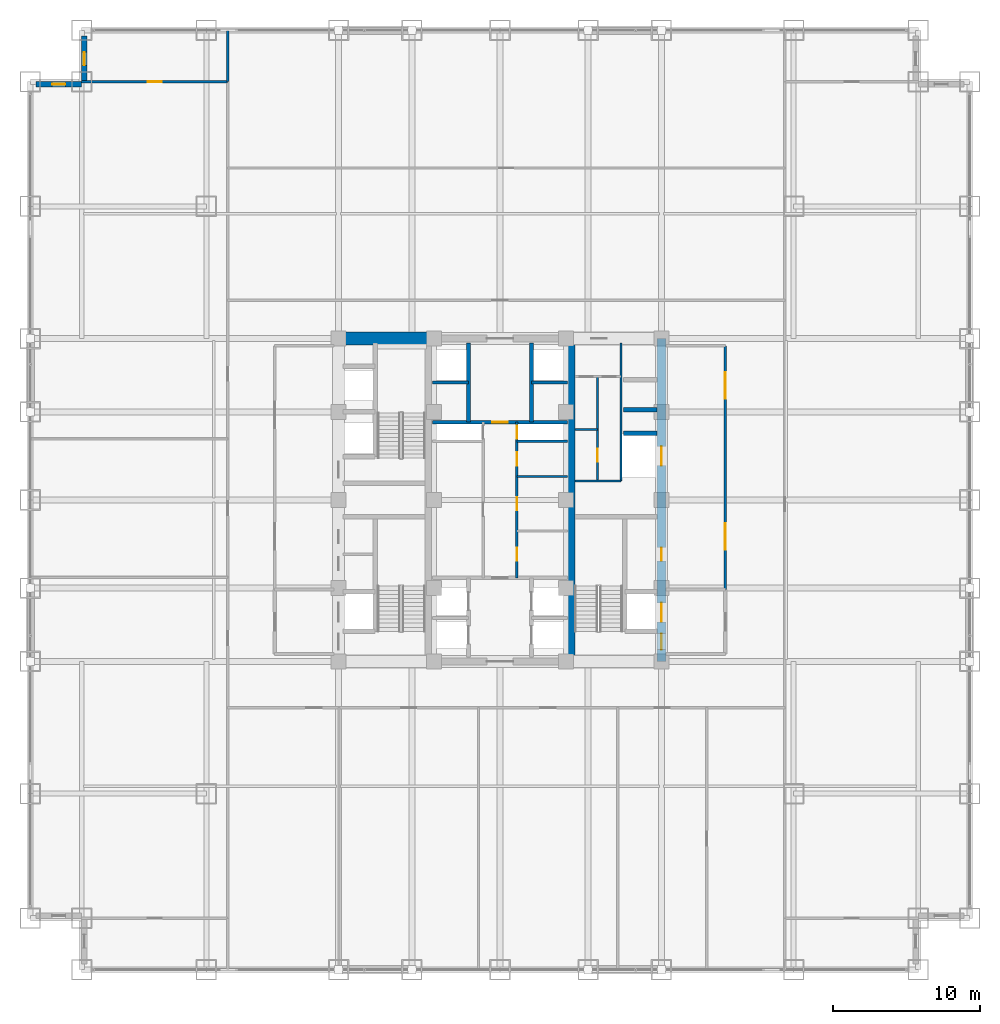
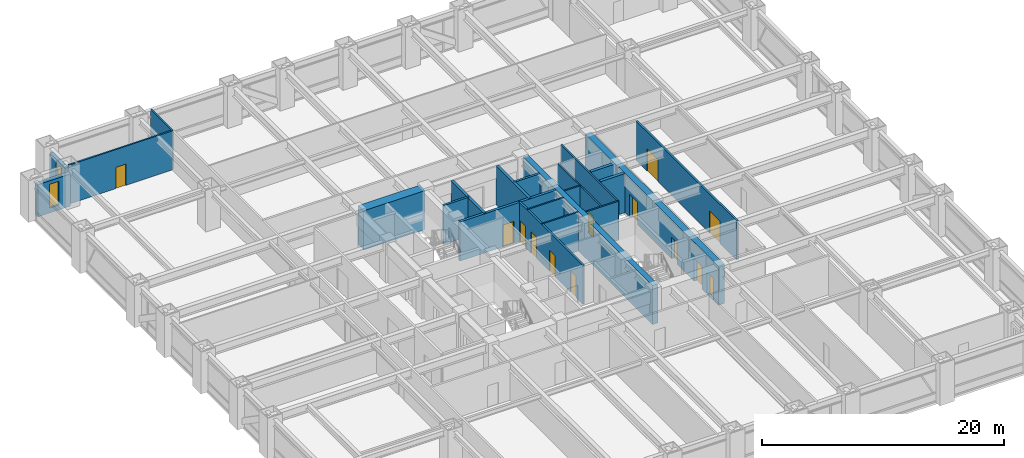
# One storey, part 25 of 27: 22 walls, 13 doors, 2 windows, 15 openings.
"""IFC4 building model written with IfcOpenShell, lengths in metres."""

from ifc_helpers import new_model, si_unit, direction, frame, frame_2d, origin, place, context, subcontext, project, spatial, rectangle, extrude, source, transform, mapped, material, layer, layer_set, type_object, element, fill, save


model = new_model("IFC4")

# Units and contexts
model_context = context("Model", 3, precision=1e-05, world=origin(), true_north=direction((0.0, 1.0)))
body_context = subcontext(model_context, "Body", "Model", "MODEL_VIEW")
ifc_project = project(units=[si_unit("LENGTHUNIT", "METRE"), si_unit("AREAUNIT", "SQUARE_METRE"), si_unit("VOLUMEUNIT", "CUBIC_METRE"), si_unit("PLANEANGLEUNIT", "RADIAN"), si_unit("MASSUNIT", "GRAM", prefix="KILO")], contexts=[model_context])

# Site, building, storey
site_placement = place(None, origin())
site = spatial("IfcSite", under=ifc_project, at=site_placement, CompositionType="ELEMENT")
building_placement = place(site_placement, origin())
building = spatial("IfcBuilding", under=site, at=building_placement, Name="Khorayat Bourse Tower", CompositionType="ELEMENT")
storey_placement = place(building_placement, frame((0.0, 0.0, 49.39990234375)))
storey = spatial("IfcBuildingStorey", under=building, at=storey_placement, Name="L10", CompositionType="ELEMENT", Elevation=49.39990234375)

# Wall, openings, doors
ifc_material_1 = material(Name="Concrete C60/75", Category="concrete")
ifc_layer_1 = layer(ifc_material_1, 0.60009765625)
ifc_layer_set_1 = layer_set([ifc_layer_1], Name="Concrete C60/75")
wall_type_1 = type_object("IfcWallType", Name="WAL-CORE-600", PredefinedType="SHEAR", material=ifc_layer_set_1)
shared_shape_1 = source(origin(), body_context, "Body", "SweptSolid", [
    extrude(rectangle(XDim=22.0, YDim=0.60009765625, at=frame_2d((11.0, 0.0))), origin(), (0.0, 0.0, 1.0), 3.940185546875),
])
wall_1_placement = place(storey_placement, frame((11.0, -11.0, 0.0), z_axis=(0.0, 0.0, 1.0), x_axis=(0.0, 1.0, 0.0)))
wall_1 = element("IfcWall", 1, at=wall_1_placement, inside=storey, type_object=wall_type_1, Name="L10 Core Shear Wall CORE-E", PredefinedType="SHEAR", context=body_context, shape_type="MappedRepresentation", body=[
    mapped(shared_shape_1, transform((0.0, 0.0, 0.0), scale=1.0)),
])
shared_shape_2 = source(origin(), body_context, "Body", "SweptSolid", [
    extrude(rectangle(XDim=1.10009765625, YDim=2.199951171875, at=frame_2d((0.550048828125, 1.10009765625))), frame((0.0, 0.31005859375, 0.0), z_axis=(0.0, -1.0, 0.0), x_axis=(1.0, 0.0, 0.0)), (0.0, 0.0, 1.0), 0.6201171875),
])
opening_1_placement = place(wall_1_placement, frame((0.800048828125, 0.0, 0.0)))
opening_1 = element("IfcOpeningElement", 2, at=opening_1_placement, cuts=wall_1, Name="Opening DI-01", PredefinedType="OPENING", context=body_context, shape_type="MappedRepresentation", body=[
    mapped(shared_shape_2, transform((0.0, 0.0, 0.0), scale=1.0)),
])
shared_shape_3 = source(origin(), body_context, "Body", "SweptSolid", [
    extrude(rectangle(XDim=0.89990234375, YDim=2.14990234375, at=frame_2d((0.449951171875, 1.074951171875))), frame((0.0, 0.31005859375, 0.0), z_axis=(0.0, -1.0, 0.0), x_axis=(1.0, 0.0, 0.0)), (0.0, 0.0, 1.0), 0.6201171875),
])
opening_2_placement = place(wall_1_placement, frame((6.85009765625, 0.0, 0.0)))
opening_2 = element("IfcOpeningElement", 3, at=opening_2_placement, cuts=wall_1, Name="Opening DI-06", PredefinedType="OPENING", context=body_context, shape_type="MappedRepresentation", body=[
    mapped(shared_shape_3, transform((0.0, 0.0, 0.0), scale=1.0)),
])
shared_shape_4 = source(origin(), body_context, "Body", "SweptSolid", [
    extrude(rectangle(XDim=1.300048828125, YDim=2.300048828125, at=frame_2d((0.64990234375, 1.14990234375))), frame((0.0, 0.31005859375, 0.0), z_axis=(0.0, -1.0, 0.0), x_axis=(1.0, 0.0, 0.0)), (0.0, 0.0, 1.0), 0.6201171875),
])
opening_3_placement = place(wall_1_placement, frame((2.699951171875, 0.0, 0.0)))
opening_3 = element("IfcOpeningElement", 4, at=opening_3_placement, cuts=wall_1, Name="Opening LD-02", PredefinedType="OPENING", context=body_context, shape_type="MappedRepresentation", body=[
    mapped(shared_shape_4, transform((0.0, 0.0, 0.0), scale=1.0)),
])
opening_4_placement = place(wall_1_placement, frame((13.35009765625, 0.0, 0.0)))
opening_4 = element("IfcOpeningElement", 5, at=opening_4_placement, cuts=wall_1, Name="Opening LD-02", PredefinedType="OPENING", context=body_context, shape_type="MappedRepresentation", body=[
    mapped(shared_shape_4, transform((0.0, 0.0, 0.0), scale=1.0)),
])
ifc_material_2 = material(Name="Fire-rated steel acoustic leaf", Category="steel")
door_type_1 = type_object("IfcDoorType", Name="DR-INT-STAIR-1100", OperationType="NOTDEFINED", PredefinedType="DOOR", material=ifc_material_2)
shared_shape_5 = source(origin(), body_context, "Body", "SweptSolid", [
    extrude(rectangle(XDim=1.10009765625, YDim=2.199951171875, at=frame_2d((0.550048828125, 1.10009765625))), frame((0.0, 0.02490234375, 0.0), z_axis=(0.0, -1.0, 0.0), x_axis=(1.0, 0.0, 0.0)), (0.0, 0.0, 1.0), 0.050048828125),
])
door_1_placement = place(opening_1_placement, origin())
door_1 = element("IfcDoor", 6, at=door_1_placement, inside=storey, type_object=door_type_1, Name="L10 Exit Stair 3 Door", OperationType="SINGLE_SWING_LEFT", OverallHeight=2.199951171875, OverallWidth=1.10009765625, PredefinedType="DOOR", context=body_context, shape_type="MappedRepresentation", body=[
    mapped(shared_shape_5, transform((0.0, 0.0, 0.0), scale=1.0)),
])
fill(opening_1, door_1)
ifc_material_3 = material(Name="Moisture-resistant laminate washroom door")
door_type_2 = type_object("IfcDoorType", Name="DR-INT-WC-900", OperationType="NOTDEFINED", PredefinedType="DOOR", material=ifc_material_3)
shared_shape_6 = source(origin(), body_context, "Body", "SweptSolid", [
    extrude(rectangle(XDim=0.89990234375, YDim=2.14990234375, at=frame_2d((0.449951171875, 1.074951171875))), frame((0.0, 0.02490234375, 0.0), z_axis=(0.0, -1.0, 0.0), x_axis=(1.0, 0.0, 0.0)), (0.0, 0.0, 1.0), 0.050048828125),
])
door_2_placement = place(opening_2_placement, origin())
door_2 = element("IfcDoor", 7, at=door_2_placement, inside=storey, type_object=door_type_2, Name="L10 Telecom Server Plant Room Door", OperationType="SINGLE_SWING_LEFT", OverallHeight=2.14990234375, OverallWidth=0.89990234375, PredefinedType="DOOR", context=body_context, shape_type="MappedRepresentation", body=[
    mapped(shared_shape_6, transform((0.0, 0.0, 0.0), scale=1.0)),
])
fill(opening_2, door_2)
ifc_material_4 = material(Name="Fire-rated stainless-steel sliding landing door", Category="steel")
door_type_3 = type_object("IfcDoorType", Name="DR-LIFT-FF-1300", OperationType="NOTDEFINED", PredefinedType="DOOR", material=ifc_material_4)
shared_shape_7 = source(origin(), body_context, "Body", "SweptSolid", [
    extrude(rectangle(XDim=1.300048828125, YDim=2.300048828125, at=frame_2d((0.64990234375, 1.14990234375))), frame((0.0, 0.02490234375, 0.0), z_axis=(0.0, -1.0, 0.0), x_axis=(1.0, 0.0, 0.0)), (0.0, 0.0, 1.0), 0.050048828125),
])
door_3_placement = place(opening_3_placement, origin())
door_3 = element("IfcDoor", 8, at=door_3_placement, inside=storey, type_object=door_type_3, Name="L10 Lift FFL-02 Sliding Landing Door", OperationType="SLIDING_TO_LEFT", OverallHeight=2.300048828125, OverallWidth=1.300048828125, PredefinedType="DOOR", context=body_context, shape_type="MappedRepresentation", body=[
    mapped(shared_shape_7, transform((0.0, 0.0, 0.0), scale=1.0)),
])
fill(opening_3, door_3)
door_4_placement = place(opening_4_placement, origin())
door_4 = element("IfcDoor", 9, at=door_4_placement, inside=storey, type_object=door_type_3, Name="L10 Lift SVL-01 Sliding Landing Door", OperationType="SLIDING_TO_LEFT", OverallHeight=2.300048828125, OverallWidth=1.300048828125, PredefinedType="DOOR", context=body_context, shape_type="MappedRepresentation", body=[
    mapped(shared_shape_7, transform((0.0, 0.0, 0.0), scale=1.0)),
])
fill(opening_4, door_4)

# Walls
ifc_material_5 = material(Name="Concrete C52/65", Category="concrete")
ifc_layer_2 = layer(ifc_material_5, 0.5)
ifc_layer_set_2 = layer_set([ifc_layer_2], Name="Concrete C52/65")
wall_type_2 = type_object("IfcWallType", Name="WAL-CORE-500", PredefinedType="SHEAR", material=ifc_layer_set_2)
shared_shape_8 = source(origin(), body_context, "Body", "SweptSolid", [
    extrude(rectangle(XDim=21.39990234375, YDim=0.5, at=frame_2d((10.699951171875, 0.0))), origin(), (0.0, 0.0, 1.0), 3.940185546875),
])
wall_2_placement = place(storey_placement, frame((4.85009765625, -10.699951171875, 0.0), z_axis=(0.0, 0.0, 1.0), x_axis=(0.0, 1.0, 0.0)))
element("IfcWall", 10, at=wall_2_placement, inside=storey, type_object=wall_type_2, Name="L10 Core Shear Wall PIER-E", PredefinedType="SHEAR", context=body_context, shape_type="MappedRepresentation", body=[
    mapped(shared_shape_8, transform((0.0, 0.0, 0.0), scale=1.0)),
])
ifc_material_6 = material(Name="Concrete C72/90", Category="concrete")
ifc_layer_3 = layer(ifc_material_6, 0.89990234375)
ifc_layer_set_3 = layer_set([ifc_layer_3], Name="Concrete C72/90")
wall_type_3 = type_object("IfcWallType", Name="WAL-CORE-900", PredefinedType="SHEAR", material=ifc_layer_set_3)
shared_shape_9 = source(origin(), body_context, "Body", "SweptSolid", [
    extrude(rectangle(XDim=5.849853515625, YDim=0.89990234375, at=frame_2d((2.9248046875, 0.0))), origin(), (0.0, 0.0, 1.0), 3.940185546875),
])
wall_3_placement = place(storey_placement, frame((-10.699951171875, 11.0, 0.0), z_axis=(0.0, 0.0, 1.0), x_axis=(1.0, 0.0, 0.0)))
element("IfcWall", 11, at=wall_3_placement, inside=storey, type_object=wall_type_3, Name="L10 Core Shear Wall PIER-WN", PredefinedType="SHEAR", context=body_context, shape_type="MappedRepresentation", body=[
    mapped(shared_shape_9, transform((0.0, 0.0, 0.0), scale=1.0)),
])

# Wall, opening, window
ifc_material_7 = material(Name="Precast concrete C45/55", Category="concrete")
ifc_layer_4 = layer(ifc_material_7, 0.3798828125)
ifc_layer_set_4 = layer_set([ifc_layer_4], Name="Precast concrete C45/55")
wall_type_4 = type_object("IfcWallType", Name="WAL-EXT-STONE-380", PredefinedType="STANDARD", material=ifc_layer_set_4)
shared_shape_10 = source(origin(), body_context, "Body", "SweptSolid", [
    extrude(rectangle(XDim=3.1201171875, YDim=0.3798828125, at=frame_2d((1.56005859375, 0.0))), origin(), (0.0, 0.0, 1.0), 3.2451171875),
])
wall_4_placement = place(storey_placement, frame((-28.31005859375, 28.5, 0.0), z_axis=(0.0, 0.0, 1.0), x_axis=(0.0, 1.0, 0.0)))
wall_4 = element("IfcWall", 12, at=wall_4_placement, inside=storey, type_object=wall_type_4, Name="L10 Re-Entrant Notch Limestone Wall NW-V", PredefinedType="STANDARD", context=body_context, shape_type="MappedRepresentation", body=[
    mapped(shared_shape_10, transform((0.0, 0.0, 0.0), scale=1.0)),
])
shared_shape_11 = source(origin(), body_context, "Body", "SweptSolid", [
    extrude(rectangle(XDim=0.89990234375, YDim=2.39990234375, at=frame_2d((0.449951171875, 1.199951171875))), frame((0.0, 0.199951171875, 0.0), z_axis=(0.0, -1.0, 0.0), x_axis=(1.0, 0.0, 0.0)), (0.0, 0.0, 1.0), 0.39990234375),
])
opening_5_placement = place(wall_4_placement, frame((1.110107421875, 0.0, 0.5)))
opening_5 = element("IfcOpeningElement", 13, at=opening_5_placement, cuts=wall_4, Name="Opening WN-03", PredefinedType="OPENING", context=body_context, shape_type="MappedRepresentation", body=[
    mapped(shared_shape_11, transform((0.0, 0.0, 0.0), scale=1.0)),
])
ifc_material_8 = material(Name="Deep-reveal solar-control double glazing", Category="glass")
window_type = type_object("IfcWindowType", Name="WIN-SLOT-900x2400", PartitioningType="SINGLE_PANEL", PredefinedType="WINDOW", material=ifc_material_8)
shared_shape_12 = source(origin(), body_context, "Body", "SweptSolid", [
    extrude(rectangle(XDim=0.89990234375, YDim=2.39990234375, at=frame_2d((0.449951171875, 1.199951171875))), frame((0.0, 0.030029296875, 0.0), z_axis=(0.0, -1.0, 0.0), x_axis=(1.0, 0.0, 0.0)), (0.0, 0.0, 1.0), 0.06005859375),
])
window_1_placement = place(opening_5_placement, origin())
window_1 = element("IfcWindow", 14, at=window_1_placement, inside=storey, type_object=window_type, Name="L10 Facade Window 1", OverallHeight=2.39990234375, OverallWidth=0.89990234375, PartitioningType="SINGLE_PANEL", PredefinedType="WINDOW", context=body_context, shape_type="MappedRepresentation", body=[
    mapped(shared_shape_12, transform((0.0, 0.0, 0.0), scale=1.0)),
])
fill(opening_5, window_1)

wall_5_placement = place(storey_placement, frame((-28.5, 28.31005859375, 0.0), z_axis=(0.0, 0.0, 1.0), x_axis=(-1.0, 0.0, 0.0)))
wall_5 = element("IfcWall", 15, at=wall_5_placement, inside=storey, type_object=wall_type_4, Name="L10 Re-Entrant Notch Limestone Wall NW-H", PredefinedType="STANDARD", context=body_context, shape_type="MappedRepresentation", body=[
    mapped(shared_shape_10, transform((0.0, 0.0, 0.0), scale=1.0)),
])
opening_6_placement = place(wall_5_placement, frame((1.110107421875, 0.0, 0.5)))
opening_6 = element("IfcOpeningElement", 16, at=opening_6_placement, cuts=wall_5, Name="Opening WN-03", PredefinedType="OPENING", context=body_context, shape_type="MappedRepresentation", body=[
    mapped(shared_shape_11, transform((0.0, 0.0, 0.0), scale=1.0)),
])
window_2_placement = place(opening_6_placement, origin())
window_2 = element("IfcWindow", 17, at=window_2_placement, inside=storey, type_object=window_type, Name="L10 Facade Window 1", OverallHeight=2.39990234375, OverallWidth=0.89990234375, PartitioningType="SINGLE_PANEL", PredefinedType="WINDOW", context=body_context, shape_type="MappedRepresentation", body=[
    mapped(shared_shape_12, transform((0.0, 0.0, 0.0), scale=1.0)),
])
fill(opening_6, window_2)

# Walls
ifc_material_9 = material(Name="Concrete C50/60", Category="concrete")
ifc_layer_5 = layer(ifc_material_9, 0.300048828125)
ifc_layer_set_5 = layer_set([ifc_layer_5], Name="Concrete C50/60")
wall_type_5 = type_object("IfcWallType", Name="WAL-SHAFT-300", PredefinedType="SHEAR", material=ifc_layer_set_5)
shared_shape_13 = source(origin(), body_context, "Body", "SweptSolid", [
    extrude(rectangle(XDim=2.300048828125, YDim=0.300048828125, at=frame_2d((1.14990234375, 0.0))), origin(), (0.0, 0.0, 1.0), 3.940185546875),
])
for number, where, z_axis, x_axis, name in (
    (18, (8.39990234375, 4.550048828125, 0.0), (0.0, 0.0, 1.0), (1.0, 0.0, 0.0), "L10 Partition WAL-L10-EPIER-SVLN"),
    (19, (8.39990234375, 6.14990234375, 0.0), (0.0, 0.0, 1.0), (1.0, 0.0, 0.0), "L10 Partition WAL-L10-EPIER-H3S"),
):
    element("IfcWall", number, at=place(storey_placement, frame(where, z_axis=z_axis, x_axis=x_axis)), inside=storey, type_object=wall_type_5, Name=name, PredefinedType="SHEAR", context=body_context, shape_type="MappedRepresentation", body=[
        mapped(shared_shape_13, transform((0.0, 0.0, 0.0), scale=1.0)),
    ])
ifc_material_10 = material(Name="Moisture-resistant masonry partition", Category="masonry")
ifc_layer_6 = layer(ifc_material_10, 0.139892578125)
ifc_layer_set_6 = layer_set([ifc_layer_6], Name="Moisture-resistant masonry partition")
wall_type_6 = type_object("IfcWallType", Name="WAL-PART-WET-140", PredefinedType="PARTITIONING", material=ifc_layer_set_6)
shared_shape_14 = source(origin(), body_context, "Body", "SweptSolid", [
    extrude(rectangle(XDim=9.39990234375, YDim=0.139892578125, at=frame_2d((4.699951171875, 0.0))), origin(), (0.0, 0.0, 1.0), 3.940185546875),
])
wall_6_placement = place(storey_placement, frame((8.25, 1.300048828125, 0.0), z_axis=(0.0, 0.0, 1.0), x_axis=(0.0, 1.0, 0.0)))
element("IfcWall", 20, at=wall_6_placement, inside=storey, type_object=wall_type_6, Name="L10 Partition WAL-L10-ECORE-E", PredefinedType="PARTITIONING", context=body_context, shape_type="MappedRepresentation", body=[
    mapped(shared_shape_14, transform((0.0, 0.0, 0.0), scale=1.0)),
])
shared_shape_15 = source(origin(), body_context, "Body", "SweptSolid", [
    extrude(rectangle(XDim=3.14990234375, YDim=0.139892578125, at=frame_2d((1.574951171875, 0.0))), origin(), (0.0, 0.0, 1.0), 3.940185546875),
])
wall_7_placement = place(storey_placement, frame((5.10009765625, 1.300048828125, 0.0), z_axis=(0.0, 0.0, 1.0), x_axis=(1.0, 0.0, 0.0)))
element("IfcWall", 21, at=wall_7_placement, inside=storey, type_object=wall_type_6, Name="L10 Partition WAL-L10-ECORE-S", PredefinedType="PARTITIONING", context=body_context, shape_type="MappedRepresentation", body=[
    mapped(shared_shape_15, transform((0.0, 0.0, 0.0), scale=1.0)),
])

# Wall, opening, door
shared_shape_16 = source(origin(), body_context, "Body", "SweptSolid", [
    extrude(rectangle(XDim=7.099853515625, YDim=0.139892578125, at=frame_2d((3.5498046875, 0.0))), origin(), (0.0, 0.0, 1.0), 3.940185546875),
])
wall_8_placement = place(storey_placement, frame((6.64990234375, 1.300048828125, 0.0), z_axis=(0.0, 0.0, 1.0), x_axis=(0.0, 1.0, 0.0)))
wall_8 = element("IfcWall", 22, at=wall_8_placement, inside=storey, type_object=wall_type_6, Name="L10 Partition WAL-L10-ECW-MID", PredefinedType="PARTITIONING", context=body_context, shape_type="MappedRepresentation", body=[
    mapped(shared_shape_16, transform((0.0, 0.0, 0.0), scale=1.0)),
])
shared_shape_17 = source(origin(), body_context, "Body", "SweptSolid", [
    extrude(rectangle(XDim=0.89990234375, YDim=2.14990234375, at=frame_2d((0.449951171875, 1.074951171875))), frame((0.0, 0.079833984375, 0.0), z_axis=(0.0, -1.0, 0.0), x_axis=(1.0, 0.0, 0.0)), (0.0, 0.0, 1.0), 0.159912109375),
])
opening_7_placement = place(wall_8_placement, frame((1.300048828125, 0.0, 0.0)))
opening_7 = element("IfcOpeningElement", 23, at=opening_7_placement, cuts=wall_8, Name="Opening DI-06", PredefinedType="OPENING", context=body_context, shape_type="MappedRepresentation", body=[
    mapped(shared_shape_17, transform((0.0, 0.0, 0.0), scale=1.0)),
])
door_5_placement = place(opening_7_placement, origin())
door_5 = element("IfcDoor", 24, at=door_5_placement, inside=storey, type_object=door_type_2, Name="L10 Janitor Store Door", OperationType="SINGLE_SWING_LEFT", OverallHeight=2.14990234375, OverallWidth=0.89990234375, PredefinedType="DOOR", context=body_context, shape_type="MappedRepresentation", body=[
    mapped(shared_shape_6, transform((0.0, 0.0, 0.0), scale=1.0)),
])
fill(opening_7, door_5)

# Wall
shared_shape_18 = source(origin(), body_context, "Body", "SweptSolid", [
    extrude(rectangle(XDim=1.5498046875, YDim=0.139892578125, at=frame_2d((0.77490234375, 0.0))), origin(), (0.0, 0.0, 1.0), 3.940185546875),
])
wall_9_placement = place(storey_placement, frame((5.10009765625, 4.800048828125, 0.0), z_axis=(0.0, 0.0, 1.0), x_axis=(1.0, 0.0, 0.0)))
element("IfcWall", 25, at=wall_9_placement, inside=storey, type_object=wall_type_6, Name="L10 Partition WAL-L10-ECW-BOT", PredefinedType="PARTITIONING", context=body_context, shape_type="MappedRepresentation", body=[
    mapped(shared_shape_18, transform((0.0, 0.0, 0.0), scale=1.0)),
])

# Wall, openings, doors
ifc_material_11 = material(Name="Gypsum plasterboard acoustic stud wall")
ifc_layer_7 = layer(ifc_material_11, 0.179931640625)
ifc_layer_set_7 = layer_set([ifc_layer_7], Name="Gypsum plasterboard acoustic stud wall")
wall_type_7 = type_object("IfcWallType", Name="WAL-PART-CORR-180", PredefinedType="PARTITIONING", material=ifc_layer_set_7)
shared_shape_19 = source(origin(), body_context, "Body", "SweptSolid", [
    extrude(rectangle(XDim=16.60009765625, YDim=0.179931640625, at=frame_2d((8.300048828125, 0.0))), origin(), (0.0, 0.0, 1.0), 3.940185546875),
])
wall_10_placement = place(storey_placement, frame((15.35009765625, -6.10009765625, 0.0), z_axis=(0.0, 0.0, 1.0), x_axis=(0.0, 1.0, 0.0)))
wall_10 = element("IfcWall", 26, at=wall_10_placement, inside=storey, type_object=wall_type_7, Name="L10 Partition WAL-L10-ELOB-E", PredefinedType="PARTITIONING", context=body_context, shape_type="MappedRepresentation", body=[
    mapped(shared_shape_19, transform((0.0, 0.0, 0.0), scale=1.0)),
])
shared_shape_20 = source(origin(), body_context, "Body", "SweptSolid", [
    extrude(rectangle(XDim=1.800048828125, YDim=2.25, at=frame_2d((0.89990234375, 1.125))), frame((0.0, 0.099853515625, 0.0), z_axis=(0.0, -1.0, 0.0), x_axis=(1.0, 0.0, 0.0)), (0.0, 0.0, 1.0), 0.199951171875),
])
opening_8_placement = place(wall_10_placement, frame((2.699951171875, 0.0, 0.0)))
opening_8 = element("IfcOpeningElement", 27, at=opening_8_placement, cuts=wall_10, Name="Opening DI-03", PredefinedType="OPENING", context=body_context, shape_type="MappedRepresentation", body=[
    mapped(shared_shape_20, transform((0.0, 0.0, 0.0), scale=1.0)),
])
opening_9_placement = place(wall_10_placement, frame((13.0, 0.0, 0.0)))
opening_9 = element("IfcOpeningElement", 28, at=opening_9_placement, cuts=wall_10, Name="Opening DI-03", PredefinedType="OPENING", context=body_context, shape_type="MappedRepresentation", body=[
    mapped(shared_shape_20, transform((0.0, 0.0, 0.0), scale=1.0)),
])
ifc_material_12 = material(Name="Fire-rated hardwood vision-panel double leaf", Category="wood")
door_type_4 = type_object("IfcDoorType", Name="DR-INT-CORR-1800", OperationType="NOTDEFINED", PredefinedType="DOOR", material=ifc_material_12)
shared_shape_21 = source(origin(), body_context, "Body", "SweptSolid", [
    extrude(rectangle(XDim=1.800048828125, YDim=2.25, at=frame_2d((0.89990234375, 1.125))), frame((0.0, 0.02490234375, 0.0), z_axis=(0.0, -1.0, 0.0), x_axis=(1.0, 0.0, 0.0)), (0.0, 0.0, 1.0), 0.050048828125),
])
door_6_placement = place(opening_8_placement, origin())
door_6 = element("IfcDoor", 29, at=door_6_placement, inside=storey, type_object=door_type_4, Name="L10 East Core Lobby South Door", OperationType="SINGLE_SWING_RIGHT", OverallHeight=2.25, OverallWidth=1.800048828125, PredefinedType="DOOR", context=body_context, shape_type="MappedRepresentation", body=[
    mapped(shared_shape_21, transform((0.0, 0.0, 0.0), scale=1.0)),
])
fill(opening_8, door_6)
door_7_placement = place(opening_9_placement, origin())
door_7 = element("IfcDoor", 30, at=door_7_placement, inside=storey, type_object=door_type_4, Name="L10 East Core Lobby North Door", OperationType="SINGLE_SWING_LEFT", OverallHeight=2.25, OverallWidth=1.800048828125, PredefinedType="DOOR", context=body_context, shape_type="MappedRepresentation", body=[
    mapped(shared_shape_21, transform((0.0, 0.0, 0.0), scale=1.0)),
])
fill(opening_9, door_7)

# Walls
ifc_material_13 = material(Name="Gypsum plasterboard twin-frame partition")
ifc_layer_8 = layer(ifc_material_13, 0.14990234375)
ifc_layer_set_8 = layer_set([ifc_layer_8], Name="Gypsum plasterboard twin-frame partition")
wall_type_8 = type_object("IfcWallType", Name="WAL-PART-SUITE-150", PredefinedType="PARTITIONING", material=ifc_layer_set_8)
shared_shape_22 = source(origin(), body_context, "Body", "SweptSolid", [
    extrude(rectangle(XDim=3.4501953125, YDim=0.14990234375, at=frame_2d((1.72509765625, 0.0))), origin(), (0.0, 0.0, 1.0), 3.940185546875),
])
wall_11_placement = place(storey_placement, frame((1.14990234375, 4.0, 0.0), z_axis=(0.0, 0.0, 1.0), x_axis=(1.0, 0.0, 0.0)))
element("IfcWall", 31, at=wall_11_placement, inside=storey, type_object=wall_type_8, Name="L10 Partition WAL-L10-CRSE-S", PredefinedType="PARTITIONING", context=body_context, shape_type="MappedRepresentation", body=[
    mapped(shared_shape_22, transform((0.0, 0.0, 0.0), scale=1.0)),
])
shared_shape_23 = source(origin(), body_context, "Body", "SweptSolid", [
    extrude(rectangle(XDim=5.39990234375, YDim=0.25, at=frame_2d((2.699951171875, 0.0))), origin(), (0.0, 0.0, 1.0), 3.940185546875),
])
for number, where, z_axis, x_axis, name in (
    (32, (-2.14990234375, 5.300048828125, 0.0), (0.0, 0.0, 1.0), (0.0, 1.0, 0.0), "L10 Partition WAL-L10-B2-W"),
    (33, (2.14990234375, 5.300048828125, 0.0), (0.0, 0.0, 1.0), (0.0, 1.0, 0.0), "L10 Partition WAL-L10-B2-E"),
):
    element("IfcWall", number, at=place(storey_placement, frame(where, z_axis=z_axis, x_axis=x_axis)), inside=storey, type_object=wall_type_5, Name=name, PredefinedType="SHEAR", context=body_context, shape_type="MappedRepresentation", body=[
        mapped(shared_shape_23, transform((0.0, 0.0, 0.0), scale=1.0)),
    ])
shared_shape_24 = source(origin(), body_context, "Body", "SweptSolid", [
    extrude(rectangle(XDim=2.4501953125, YDim=0.199951171875, at=frame_2d((1.22509765625, 0.0))), origin(), (0.0, 0.0, 1.0), 3.940185546875),
])
for number, where, z_axis, x_axis, name in (
    (34, (-4.60009765625, 8.0, 0.0), (0.0, 0.0, 1.0), (1.0, 0.0, 0.0), "L10 Partition WAL-L10-B2-MW"),
    (35, (2.14990234375, 8.0, 0.0), (0.0, 0.0, 1.0), (1.0, 0.0, 0.0), "L10 Partition WAL-L10-B2-ME"),
):
    element("IfcWall", number, at=place(storey_placement, frame(where, z_axis=z_axis, x_axis=x_axis)), inside=storey, type_object=wall_type_5, Name=name, PredefinedType="SHEAR", context=body_context, shape_type="MappedRepresentation", body=[
        mapped(shared_shape_24, transform((0.0, 0.0, 0.0), scale=1.0)),
    ])

# Wall, opening, door
shared_shape_25 = source(origin(), body_context, "Body", "SweptSolid", [
    extrude(rectangle(XDim=9.2001953125, YDim=0.25, at=frame_2d((4.60009765625, 0.0))), origin(), (0.0, 0.0, 1.0), 3.940185546875),
])
wall_12_placement = place(storey_placement, frame((-4.60009765625, 5.300048828125, 0.0), z_axis=(0.0, 0.0, 1.0), x_axis=(1.0, 0.0, 0.0)))
wall_12 = element("IfcWall", 36, at=wall_12_placement, inside=storey, type_object=wall_type_5, Name="L10 Partition WAL-L10-B2-S", PredefinedType="SHEAR", context=body_context, shape_type="MappedRepresentation", body=[
    mapped(shared_shape_25, transform((0.0, 0.0, 0.0), scale=1.0)),
])
shared_shape_26 = source(origin(), body_context, "Body", "SweptSolid", [
    extrude(rectangle(XDim=1.050048828125, YDim=2.199951171875, at=frame_2d((0.52490234375, 1.10009765625))), frame((0.0, 0.135009765625, 0.0), z_axis=(0.0, -1.0, 0.0), x_axis=(1.0, 0.0, 0.0)), (0.0, 0.0, 1.0), 0.27001953125),
])
opening_10_placement = place(wall_12_placement, frame((4.074951171875, 0.0, 0.0)))
opening_10 = element("IfcOpeningElement", 37, at=opening_10_placement, cuts=wall_12, Name="Opening DI-04", PredefinedType="OPENING", context=body_context, shape_type="MappedRepresentation", body=[
    mapped(shared_shape_26, transform((0.0, 0.0, 0.0), scale=1.0)),
])
ifc_material_14 = material(Name="Fire-rated oak veneer suite entrance door")
door_type_5 = type_object("IfcDoorType", Name="DR-INT-SUITE-1050", OperationType="NOTDEFINED", PredefinedType="DOOR", material=ifc_material_14)
shared_shape_27 = source(origin(), body_context, "Body", "SweptSolid", [
    extrude(rectangle(XDim=1.050048828125, YDim=2.199951171875, at=frame_2d((0.52490234375, 1.10009765625))), frame((0.0, 0.02490234375, 0.0), z_axis=(0.0, -1.0, 0.0), x_axis=(1.0, 0.0, 0.0)), (0.0, 0.0, 1.0), 0.050048828125),
])
door_8_placement = place(opening_10_placement, origin())
door_8 = element("IfcDoor", 38, at=door_8_placement, inside=storey, type_object=door_type_5, Name="L10 Core Spine North Door", OperationType="SINGLE_SWING_RIGHT", OverallHeight=2.199951171875, OverallWidth=1.050048828125, PredefinedType="DOOR", context=body_context, shape_type="MappedRepresentation", body=[
    mapped(shared_shape_27, transform((0.0, 0.0, 0.0), scale=1.0)),
])
fill(opening_10, door_8)

# Wall, openings, doors
shared_shape_28 = source(origin(), body_context, "Body", "SweptSolid", [
    extrude(rectangle(XDim=10.60009765625, YDim=0.179931640625, at=frame_2d((5.300048828125, 0.0))), origin(), (0.0, 0.0, 1.0), 3.940185546875),
])
wall_13_placement = place(storey_placement, frame((1.14990234375, -5.300048828125, 0.0), z_axis=(0.0, 0.0, 1.0), x_axis=(0.0, 1.0, 0.0)))
wall_13 = element("IfcWall", 39, at=wall_13_placement, inside=storey, type_object=wall_type_7, Name="L10 Partition WAL-L10-CME-L", PredefinedType="PARTITIONING", context=body_context, shape_type="MappedRepresentation", body=[
    mapped(shared_shape_28, transform((0.0, 0.0, 0.0), scale=1.0)),
])
shared_shape_29 = source(origin(), body_context, "Body", "SweptSolid", [
    extrude(rectangle(XDim=0.89990234375, YDim=2.14990234375, at=frame_2d((0.449951171875, 1.074951171875))), frame((0.0, 0.099853515625, 0.0), z_axis=(0.0, -1.0, 0.0), x_axis=(1.0, 0.0, 0.0)), (0.0, 0.0, 1.0), 0.199951171875),
])
opening_11_placement = place(wall_13_placement, frame((1.14990234375, 0.0, 0.0)))
opening_11 = element("IfcOpeningElement", 40, at=opening_11_placement, cuts=wall_13, Name="Opening DI-06", PredefinedType="OPENING", context=body_context, shape_type="MappedRepresentation", body=[
    mapped(shared_shape_29, transform((0.0, 0.0, 0.0), scale=1.0)),
])
opening_12_placement = place(wall_13_placement, frame((4.60009765625, 0.0, 0.0)))
opening_12 = element("IfcOpeningElement", 41, at=opening_12_placement, cuts=wall_13, Name="Opening DI-06", PredefinedType="OPENING", context=body_context, shape_type="MappedRepresentation", body=[
    mapped(shared_shape_29, transform((0.0, 0.0, 0.0), scale=1.0)),
])
opening_13_placement = place(wall_13_placement, frame((7.64990234375, 0.0, 0.0)))
opening_13 = element("IfcOpeningElement", 42, at=opening_13_placement, cuts=wall_13, Name="Opening DI-06", PredefinedType="OPENING", context=body_context, shape_type="MappedRepresentation", body=[
    mapped(shared_shape_29, transform((0.0, 0.0, 0.0), scale=1.0)),
])
opening_14_placement = place(wall_13_placement, frame((9.47509765625, 0.0, 0.0)))
opening_14 = element("IfcOpeningElement", 43, at=opening_14_placement, cuts=wall_13, Name="Opening DI-06", PredefinedType="OPENING", context=body_context, shape_type="MappedRepresentation", body=[
    mapped(shared_shape_29, transform((0.0, 0.0, 0.0), scale=1.0)),
])
door_9_placement = place(opening_11_placement, origin())
door_9 = element("IfcDoor", 44, at=door_9_placement, inside=storey, type_object=door_type_2, Name="L10 Female Core Washroom Door", OperationType="SINGLE_SWING_RIGHT", OverallHeight=2.14990234375, OverallWidth=0.89990234375, PredefinedType="DOOR", context=body_context, shape_type="MappedRepresentation", body=[
    mapped(shared_shape_6, transform((0.0, 0.0, 0.0), scale=1.0)),
])
fill(opening_11, door_9)
door_10_placement = place(opening_12_placement, origin())
door_10 = element("IfcDoor", 45, at=door_10_placement, inside=storey, type_object=door_type_2, Name="L10 Cleaners Store Door", OperationType="SINGLE_SWING_LEFT", OverallHeight=2.14990234375, OverallWidth=0.89990234375, PredefinedType="DOOR", context=body_context, shape_type="MappedRepresentation", body=[
    mapped(shared_shape_6, transform((0.0, 0.0, 0.0), scale=1.0)),
])
fill(opening_12, door_10)
door_11_placement = place(opening_13_placement, origin())
door_11 = element("IfcDoor", 46, at=door_11_placement, inside=storey, type_object=door_type_2, Name="L10 Meter and BMS Plant Room Door", OperationType="SINGLE_SWING_RIGHT", OverallHeight=2.14990234375, OverallWidth=0.89990234375, PredefinedType="DOOR", context=body_context, shape_type="MappedRepresentation", body=[
    mapped(shared_shape_6, transform((0.0, 0.0, 0.0), scale=1.0)),
])
fill(opening_13, door_11)
door_12_placement = place(opening_14_placement, origin())
door_12 = element("IfcDoor", 47, at=door_12_placement, inside=storey, type_object=door_type_2, Name="L10 East Core Riser Door", OperationType="SINGLE_SWING_RIGHT", OverallHeight=2.14990234375, OverallWidth=0.89990234375, PredefinedType="DOOR", context=body_context, shape_type="MappedRepresentation", body=[
    mapped(shared_shape_6, transform((0.0, 0.0, 0.0), scale=1.0)),
])
fill(opening_14, door_12)

# Walls
shared_shape_30 = source(origin(), body_context, "Body", "SweptSolid", [
    extrude(rectangle(XDim=3.4501953125, YDim=0.139892578125, at=frame_2d((1.72509765625, 0.0))), origin(), (0.0, 0.0, 1.0), 3.940185546875),
])
wall_14_placement = place(storey_placement, frame((1.14990234375, 1.60009765625, 0.0), z_axis=(0.0, 0.0, 1.0), x_axis=(1.0, 0.0, 0.0)))
element("IfcWall", 48, at=wall_14_placement, inside=storey, type_object=wall_type_6, Name="L10 Partition WAL-L10-CME-D2", PredefinedType="PARTITIONING", context=body_context, shape_type="MappedRepresentation", body=[
    mapped(shared_shape_30, transform((0.0, 0.0, 0.0), scale=1.0)),
])
shared_shape_31 = source(origin(), body_context, "Body", "SweptSolid", [
    extrude(rectangle(XDim=3.5, YDim=0.14990234375, at=frame_2d((1.75, 0.0))), origin(), (0.0, 0.0, 1.0), 3.940185546875),
])
wall_15_placement = place(storey_placement, frame((-18.550048828125, 28.5, 0.0), z_axis=(0.0, 0.0, 1.0), x_axis=(0.0, 1.0, 0.0)))
element("IfcWall", 49, at=wall_15_placement, inside=storey, type_object=wall_type_8, Name="L10 Partition WAL-L10-NCW-END", PredefinedType="PARTITIONING", context=body_context, shape_type="MappedRepresentation", body=[
    mapped(shared_shape_31, transform((0.0, 0.0, 0.0), scale=1.0)),
])

# Wall, opening, door
shared_shape_32 = source(origin(), body_context, "Body", "SweptSolid", [
    extrude(rectangle(XDim=9.949951171875, YDim=0.14990234375, at=frame_2d((4.97509765625, 0.0))), origin(), (0.0, 0.0, 1.0), 3.940185546875),
])
wall_16_placement = place(storey_placement, frame((-28.5, 28.5, 0.0), z_axis=(0.0, 0.0, 1.0), x_axis=(1.0, 0.0, 0.0)))
wall_16 = element("IfcWall", 50, at=wall_16_placement, inside=storey, type_object=wall_type_8, Name="L10 Partition WAL-L10-CNW", PredefinedType="PARTITIONING", context=body_context, shape_type="MappedRepresentation", body=[
    mapped(shared_shape_32, transform((0.0, 0.0, 0.0), scale=1.0)),
])
shared_shape_33 = source(origin(), body_context, "Body", "SweptSolid", [
    extrude(rectangle(XDim=0.949951171875, YDim=2.14990234375, at=frame_2d((0.47509765625, 1.074951171875))), frame((0.0, 0.0849609375, 0.0), z_axis=(0.0, -1.0, 0.0), x_axis=(1.0, 0.0, 0.0)), (0.0, 0.0, 1.0), 0.169921875),
])
opening_15_placement = place(wall_16_placement, frame((4.5, 0.0, 0.0)))
opening_15 = element("IfcOpeningElement", 51, at=opening_15_placement, cuts=wall_16, Name="Opening DI-05", PredefinedType="OPENING", context=body_context, shape_type="MappedRepresentation", body=[
    mapped(shared_shape_33, transform((0.0, 0.0, 0.0), scale=1.0)),
])
ifc_material_15 = material(Name="Acoustic oak veneer office door")
door_type_6 = type_object("IfcDoorType", Name="DR-INT-OFFICE-950", OperationType="NOTDEFINED", PredefinedType="DOOR", material=ifc_material_15)
shared_shape_34 = source(origin(), body_context, "Body", "SweptSolid", [
    extrude(rectangle(XDim=0.949951171875, YDim=2.14990234375, at=frame_2d((0.47509765625, 1.074951171875))), frame((0.0, 0.02490234375, 0.0), z_axis=(0.0, -1.0, 0.0), x_axis=(1.0, 0.0, 0.0)), (0.0, 0.0, 1.0), 0.050048828125),
])
door_13_placement = place(opening_15_placement, origin())
door_13 = element("IfcDoor", 52, at=door_13_placement, inside=storey, type_object=door_type_6, Name="L10 North-West Corner Meeting Room Door", OperationType="SINGLE_SWING_LEFT", OverallHeight=2.14990234375, OverallWidth=0.949951171875, PredefinedType="DOOR", context=body_context, shape_type="MappedRepresentation", body=[
    mapped(shared_shape_34, transform((0.0, 0.0, 0.0), scale=1.0)),
])
fill(opening_15, door_13)

save(model, "model.ifc")
